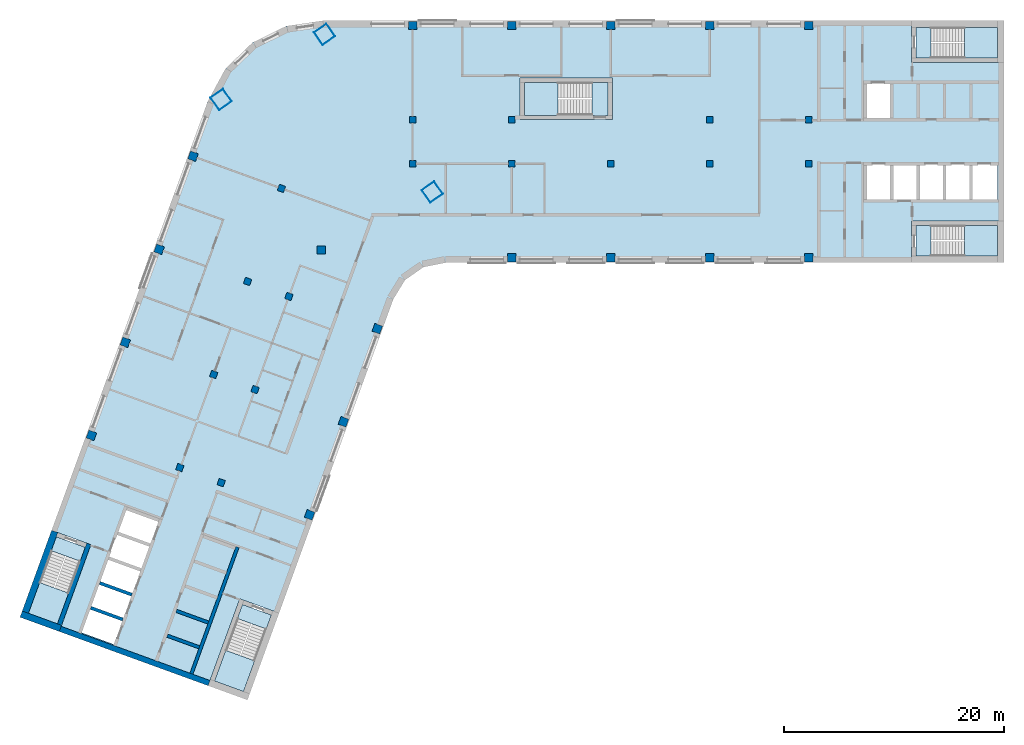
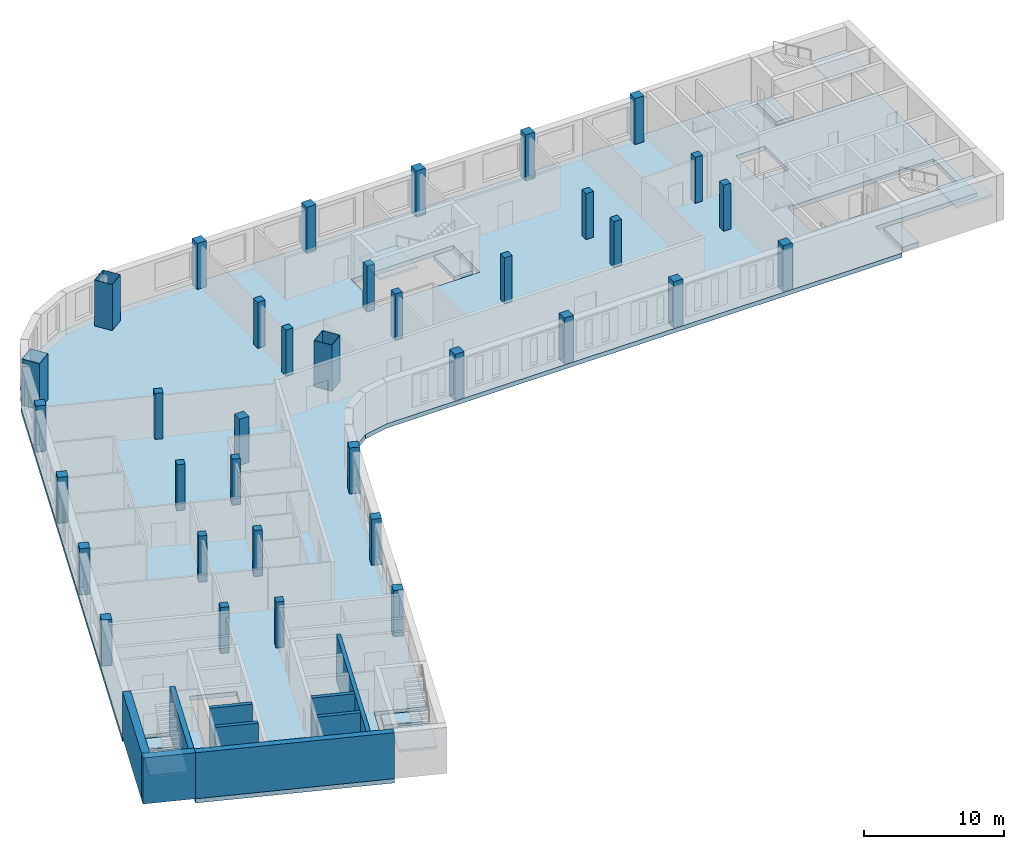
# One storey, part 1 of 8: 36 columns, 11 slabs, 9 walls, 1 plate, 5 elements without a shape of their own.
"""IFC4 building model written with IfcOpenShell, lengths in metres."""

from ifc_helpers import new_model, si_unit, direction, frame, frame_2d, origin, origin_2d, place, context, subcontext, project, spatial, polyline, rectangle, hollow_rectangle, outline, extrude, material, layer, layer_set, material_profile, profile_set, type_object, element, aggregate, save


model = new_model("IFC4")

# Units and contexts
model_context = context("Model", 3, precision=1e-05, world=origin(), true_north=direction((0.0, 1.0)))
body_context = subcontext(model_context, "Body", "Model", "MODEL_VIEW")
ifc_project = project(units=[si_unit("LENGTHUNIT", "METRE"), si_unit("AREAUNIT", "SQUARE_METRE"), si_unit("VOLUMEUNIT", "CUBIC_METRE"), si_unit("PLANEANGLEUNIT", "RADIAN"), si_unit("MASSUNIT", "GRAM", prefix="KILO")], contexts=[model_context])

# Site, building, storey
site_placement = place(None, origin())
site = spatial("IfcSite", under=ifc_project, at=site_placement, CompositionType="ELEMENT")
building_placement = place(site_placement, origin())
building = spatial("IfcBuilding", under=site, at=building_placement, Name="Skarvind Civic Tower", CompositionType="ELEMENT")
storey_placement = place(building_placement, frame((0.0, 0.0, 232.0)))
storey = spatial("IfcBuildingStorey", under=building, at=storey_placement, Name="L55", CompositionType="ELEMENT", Elevation=232.0)

# Columns
ifc_material_1 = material(Name="Concrete C60", Category="concrete")
ifc_material_profile_1 = material_profile(ifc_material_1, rectangle(XDim=0.60009765625, YDim=0.60009765625, at=origin_2d()), Name="RC-600x600")
ifc_profile_set_1 = profile_set([ifc_material_profile_1], Name="Concrete C60")
column_type_1 = type_object("IfcColumnType", Name="Column RC-600x600 C60", PredefinedType="COLUMN", material=ifc_profile_set_1)
for number, where, z_axis, x_axis, name in (
    (1, (54.25, 130.0, 0.0), (0.0, 0.0, 1.0), (1.0, 0.0, 0.0), "Column wing 1 north inner 02 L55"),
    (2, (63.25, 130.0, 0.0), (0.0, 0.0, 1.0), (1.0, 0.0, 0.0), "Column wing 1 north inner 03 L55"),
    (3, (81.25, 130.0, 0.0), (0.0, 0.0, 1.0), (1.0, 0.0, 0.0), "Column wing 1 north inner 05 L55"),
    (4, (90.25, 130.0, 0.0), (0.0, 0.0, 1.0), (1.0, 0.0, 0.0), "Column wing 1 north inner 06 L55"),
    (5, (54.25, 126.0, 0.0), (0.0, 0.0, 1.0), (1.0, 0.0, 0.0), "Column wing 1 south inner 02 L55"),
    (6, (63.25, 126.0, 0.0), (0.0, 0.0, 1.0), (1.0, 0.0, 0.0), "Column wing 1 south inner 03 L55"),
    (7, (72.25, 126.0, 0.0), (0.0, 0.0, 1.0), (1.0, 0.0, 0.0), "Column wing 1 south inner 04 L55"),
    (8, (81.25, 126.0, 0.0), (0.0, 0.0, 1.0), (1.0, 0.0, 0.0), "Column wing 1 south inner 05 L55"),
    (9, (90.25, 126.0, 0.0), (0.0, 0.0, 1.0), (1.0, 0.0, 0.0), "Column wing 1 south inner 06 L55"),
    (10, (43.005615234375, 113.92529296875, 0.0), (0.0, 0.0, 1.0), (-0.342020143326, -0.939692620786, 0.0), "Column wing 2 left inner 02 L55"),
    (11, (39.927490234375, 105.468017578125, 0.0), (0.0, 0.0, 1.0), (-0.342020143326, -0.939692620786, 0.0), "Column wing 2 left inner 03 L55"),
    (12, (36.84912109375, 97.010986328125, 0.0), (0.0, 0.0, 1.0), (-0.342020143326, -0.939692620786, 0.0), "Column wing 2 left inner 04 L55"),
    (13, (42.324951171875, 123.750732421875, 0.0), (0.0, 0.0, 1.0), (-0.342020143326, -0.939692620786, 0.0), "Column wing 2 right inner 01 L55"),
    (14, (39.246826171875, 115.29345703125, 0.0), (0.0, 0.0, 1.0), (-0.342020143326, -0.939692620786, 0.0), "Column wing 2 right inner 02 L55"),
    (15, (36.168701171875, 106.836181640625, 0.0), (0.0, 0.0, 1.0), (-0.342020143326, -0.939692620786, 0.0), "Column wing 2 right inner 03 L55"),
    (16, (33.090576171875, 98.37890625, 0.0), (0.0, 0.0, 1.0), (-0.342020143326, -0.939692620786, 0.0), "Column wing 2 right inner 04 L55"),
):
    element("IfcColumn", number, at=place(storey_placement, frame(where, z_axis=z_axis, x_axis=x_axis)), inside=storey, type_object=column_type_1, Name=name, PredefinedType="COLUMN", context=body_context, shape_type="SweptSolid", body=[
        extrude(rectangle(XDim=0.60009765625, YDim=0.60009765625, at=origin_2d()), origin(), (0.0, 0.0, 1.0), 4.0),
    ])
ifc_material_profile_2 = material_profile(ifc_material_1, rectangle(XDim=0.75, YDim=0.75, at=origin_2d()), Name="RC-750x750")
ifc_profile_set_2 = profile_set([ifc_material_profile_2], Name="Concrete C60")
column_type_2 = type_object("IfcColumnType", Name="Column RC-750x750 C60", PredefinedType="COLUMN", material=ifc_profile_set_2)
for number, where, z_axis, x_axis, name in (
    (17, (54.25, 138.550048828125, 0.0), (0.0, 0.0, 1.0), (1.0, 0.0, 0.0), "Column wing 1 north perimeter 02 L55"),
    (18, (63.25, 138.550048828125, 0.0), (0.0, 0.0, 1.0), (1.0, 0.0, 0.0), "Column wing 1 north perimeter 03 L55"),
    (19, (72.25, 138.550048828125, 0.0), (0.0, 0.0, 1.0), (1.0, 0.0, 0.0), "Column wing 1 north perimeter 04 L55"),
    (20, (81.25, 138.550048828125, 0.0), (0.0, 0.0, 1.0), (1.0, 0.0, 0.0), "Column wing 1 north perimeter 05 L55"),
    (21, (90.25, 138.550048828125, 0.0), (0.0, 0.0, 1.0), (1.0, 0.0, 0.0), "Column wing 1 north perimeter 06 L55"),
    (22, (45.95166015625, 118.151611328125, 0.0), (0.0, 0.0, 1.0), (1.0, 0.0, 0.0), "Column wing 1 south perimeter 01 L55"),
    (23, (63.25, 117.449951171875, 0.0), (0.0, 0.0, 1.0), (1.0, 0.0, 0.0), "Column wing 1 south perimeter 03 L55"),
    (24, (72.25, 117.449951171875, 0.0), (0.0, 0.0, 1.0), (1.0, 0.0, 0.0), "Column wing 1 south perimeter 04 L55"),
    (25, (81.25, 117.449951171875, 0.0), (0.0, 0.0, 1.0), (1.0, 0.0, 0.0), "Column wing 1 south perimeter 05 L55"),
    (26, (90.25, 117.449951171875, 0.0), (0.0, 0.0, 1.0), (1.0, 0.0, 0.0), "Column wing 1 south perimeter 06 L55"),
    (27, (51.0400390625, 111.0009765625, 0.0), (0.0, 0.0, 1.0), (-0.342020143326, -0.939692620786, 0.0), "Column wing 2 left perimeter 02 L55"),
    (28, (47.961669921875, 102.5439453125, 0.0), (0.0, 0.0, 1.0), (-0.342020143326, -0.939692620786, 0.0), "Column wing 2 left perimeter 03 L55"),
    (29, (44.883544921875, 94.086669921875, 0.0), (0.0, 0.0, 1.0), (-0.342020143326, -0.939692620786, 0.0), "Column wing 2 left perimeter 04 L55"),
    (30, (34.29052734375, 126.6748046875, 0.0), (0.0, 0.0, 1.0), (-0.342020143326, -0.939692620786, 0.0), "Column wing 2 right perimeter 01 L55"),
    (31, (31.21240234375, 118.2177734375, 0.0), (0.0, 0.0, 1.0), (-0.342020143326, -0.939692620786, 0.0), "Column wing 2 right perimeter 02 L55"),
    (32, (28.13427734375, 109.760498046875, 0.0), (0.0, 0.0, 1.0), (-0.342020143326, -0.939692620786, 0.0), "Column wing 2 right perimeter 03 L55"),
    (33, (25.05615234375, 101.30322265625, 0.0), (0.0, 0.0, 1.0), (-0.342020143326, -0.939692620786, 0.0), "Column wing 2 right perimeter 04 L55"),
):
    element("IfcColumn", number, at=place(storey_placement, frame(where, z_axis=z_axis, x_axis=x_axis)), inside=storey, type_object=column_type_2, Name=name, PredefinedType="COLUMN", context=body_context, shape_type="SweptSolid", body=[
        extrude(rectangle(XDim=0.75, YDim=0.75, at=origin_2d()), origin(), (0.0, 0.0, 1.0), 4.0),
    ])
ifc_material_2 = material(Name="Composite concrete-filled steel tube, Steel SM355 with Concrete C60", Category="concrete")
ifc_material_profile_3 = material_profile(ifc_material_2, hollow_rectangle(XDim=1.39990234375, YDim=1.39990234375, WallThickness=0.031982421875, at=origin_2d()), Name="BOX-1400x1400x32")
ifc_profile_set_3 = profile_set([ifc_material_profile_3], Name="Composite concrete-filled steel tube, Steel SM355 with Concrete C60")
column_type_3 = type_object("IfcColumnType", Name="Mega column BOX-1400x1400x32 filled C60", PredefinedType="COLUMN", material=ifc_profile_set_3)
for number, where, z_axis, x_axis, name in (
    (34, (36.845947265625, 131.837646484375, 0.0), (0.0, 0.0, 1.0), (0.573576436351, -0.819152044289, 0.0), "Mega column 1 L55"),
    (35, (46.2470703125, 137.762451171875, 0.0), (0.0, 0.0, 1.0), (0.573576436351, -0.819152044289, 0.0), "Mega column 2 L55"),
    (36, (56.0361328125, 123.43017578125, 0.0), (0.0, 0.0, 1.0), (0.573576436351, -0.819152044289, 0.0), "Mega column 4 L55"),
):
    element("IfcColumn", number, at=place(storey_placement, frame(where, z_axis=z_axis, x_axis=x_axis)), inside=storey, type_object=column_type_3, Name=name, PredefinedType="COLUMN", context=body_context, shape_type="SweptSolid", body=[
        extrude(hollow_rectangle(XDim=1.39990234375, YDim=1.39990234375, WallThickness=0.031982421875, at=origin_2d()), origin(), (0.0, 0.0, 1.0), 4.0),
    ])

# Slab
ifc_material_3 = material(Name="Concrete C50", Category="concrete")
ifc_layer_1 = layer(ifc_material_3, 0.375)
ifc_layer_set_1 = layer_set([ifc_layer_1], Name="Floor slab 375 C50")
slab_type_1 = type_object("IfcSlabType", Name="Floor slab 375 C50", PredefinedType="FLOOR", material=ifc_layer_set_1)
slab_1_placement = place(storey_placement, frame((0.0, 0.0, -0.375)))
element("IfcSlab", 37, at=slab_1_placement, inside=storey, type_object=slab_type_1, Name="Floor slab L55 1", PredefinedType="FLOOR", context=body_context, shape_type="SweptSolid", body=[
    extrude(outline(polyline([(99.60009765625, 117.0), (99.60009765625, 120.800048828125), (108.0, 120.800048828125), (108.0, 135.199951171875), (99.60009765625, 135.199951171875), (99.60009765625, 139.0), (46.095458984375, 139.0), (42.739501953125, 138.5009765625), (39.6943359375, 137.005615234375), (37.24755859375, 134.6552734375), (35.630615234375, 131.672607421875), (19.41748046875, 87.126708984375), (21.435302734375, 92.6708984375), (25.006103515625, 91.371337890625), (22.13330078125, 83.477783203125), (36.886474609375, 78.108154296875), (35.664794921875, 78.552734375), (38.53759765625, 86.4462890625), (42.108642578125, 85.146484375), (40.0908203125, 79.602294921875), (40.0908203125, 79.602294921875), (52.493896484375, 113.68017578125), (53.560791015625, 115.421630859375), (55.23388671875, 116.593017578125), (57.235107421875, 117.0), (99.60009765625, 117.0)]), holes=[polyline([(25.671630859375, 87.9365234375), (26.492431640625, 90.19189453125), (27.313232421875, 92.447021484375), (28.134033203125, 94.702392578125), (31.3291015625, 93.53955078125), (30.50830078125, 91.2841796875), (29.6875, 89.029052734375), (28.866455078125, 86.773681640625), (28.866455078125, 86.773681640625), (28.045654296875, 84.5185546875), (27.224853515625, 82.26318359375), (24.02978515625, 83.426025390625), (24.8505859375, 85.681396484375), (25.671630859375, 87.9365234375), (25.671630859375, 87.9365234375)]), polyline([(64.0, 130.0), (64.0, 133.800048828125), (72.39990234375, 133.800048828125), (72.39990234375, 130.0), (64.0, 130.0)]), polyline([(97.800048828125, 126.0), (100.199951171875, 126.0), (102.60009765625, 126.0), (105.0, 126.0), (107.39990234375, 126.0), (107.39990234375, 122.60009765625), (105.0, 122.60009765625), (102.60009765625, 122.60009765625), (100.199951171875, 122.60009765625), (97.800048828125, 122.60009765625), (95.39990234375, 122.60009765625), (95.39990234375, 126.0), (97.800048828125, 126.0)]), polyline([(97.800048828125, 133.39990234375), (97.800048828125, 130.0), (95.39990234375, 130.0), (95.39990234375, 133.39990234375), (97.800048828125, 133.39990234375)])]), origin(), (0.0, 0.0, 1.0), 0.375),
])

# Plate
ifc_material_4 = material(Name="Steel SM355", Category="steel")
ifc_layer_2 = layer(ifc_material_4, 0.0400390625)
ifc_layer_set_2 = layer_set([ifc_layer_2], Name="Mega column cap plate 40")
plate_type = type_object("IfcPlateType", Name="Mega column cap plate 40", PredefinedType="USERDEFINED", material=ifc_layer_set_2)
plate_placement = place(storey_placement, frame((36.845947265625, 131.837646484375, 4.0), z_axis=(0.0, 0.0, 1.0), x_axis=(0.573576436351, -0.819152044289, 0.0)))
element("IfcPlate", 38, at=plate_placement, inside=storey, type_object=plate_type, Name="Mega column cap plate 1 L55", ObjectType="CAP PLATE", PredefinedType="USERDEFINED", context=body_context, shape_type="SweptSolid", body=[
    extrude(rectangle(XDim=1.39990234375, YDim=1.39990234375, at=origin_2d()), origin(), (0.0, 0.0, 1.0), 0.0400390625),
])

# Slabs
ifc_material_5 = material(Name="Concrete C40/50", Category="concrete")
ifc_layer_3 = layer(ifc_material_5, 0.375)
ifc_layer_set_3 = layer_set([ifc_layer_3], Name="Stair floor landing slab 375")
slab_type_2 = type_object("IfcSlabType", Name="Stair floor landing slab 375", PredefinedType="LANDING", material=ifc_layer_set_3)
slab_2_placement = place(storey_placement, frame((0.0, 0.0, -0.375)))
element("IfcSlab", 39, at=slab_2_placement, inside=storey, type_object=slab_type_2, Name="Stair floor landing", PredefinedType="LANDING", context=body_context, shape_type="SweptSolid", body=[
    extrude(outline(polyline([(101.3505859375, 138.400634765625), (101.3505859375, 135.599365234375), (99.99951171875, 135.599365234375), (99.99951171875, 138.400634765625), (101.3505859375, 138.400634765625)])), origin(), (0.0, 0.0, 1.0), 0.375),
])
slab_3_placement = place(storey_placement, frame((0.0, 0.0, -0.375)))
element("IfcSlab", 40, at=slab_3_placement, inside=storey, type_object=slab_type_2, Name="Stair floor landing", PredefinedType="LANDING", context=body_context, shape_type="SweptSolid", body=[
    extrude(outline(polyline([(101.3505859375, 120.400634765625), (101.3505859375, 117.599365234375), (99.99951171875, 117.599365234375), (99.99951171875, 120.400634765625), (101.3505859375, 120.400634765625)])), origin(), (0.0, 0.0, 1.0), 0.375),
])
slab_4_placement = place(storey_placement, frame((0.0, 0.0, -0.375)))
element("IfcSlab", 41, at=slab_4_placement, inside=storey, type_object=slab_type_2, Name="Stair floor landing", PredefinedType="LANDING", context=body_context, shape_type="SweptSolid", body=[
    extrude(outline(polyline([(40.946533203125, 83.70654296875), (38.314208984375, 84.66455078125), (38.7763671875, 85.934326171875), (41.40869140625, 84.976318359375), (40.946533203125, 83.70654296875)])), origin(), (0.0, 0.0, 1.0), 0.375),
])
slab_5_placement = place(storey_placement, frame((0.0, 0.0, -0.375)))
element("IfcSlab", 42, at=slab_5_placement, inside=storey, type_object=slab_type_2, Name="Stair floor landing", PredefinedType="LANDING", context=body_context, shape_type="SweptSolid", body=[
    extrude(outline(polyline([(24.0322265625, 89.863037109375), (21.39990234375, 90.821044921875), (21.862060546875, 92.090576171875), (24.494384765625, 91.132568359375), (24.0322265625, 89.863037109375)])), origin(), (0.0, 0.0, 1.0), 0.375),
])
slab_6_placement = place(storey_placement, frame((0.0, 0.0, -0.375)))
element("IfcSlab", 43, at=slab_6_placement, inside=storey, type_object=slab_type_2, Name="Stair floor landing", PredefinedType="LANDING", context=body_context, shape_type="SweptSolid", body=[
    extrude(outline(polyline([(70.54931640625, 130.3994140625), (70.54931640625, 133.400634765625), (72.00048828125, 133.400634765625), (72.00048828125, 130.3994140625), (70.54931640625, 130.3994140625)])), origin(), (0.0, 0.0, 1.0), 0.375),
])

# Stair, slab
stair_type_1 = type_object("IfcStairType", Name="Exit stair, half-turn, concrete", PredefinedType="HALF_TURN_STAIR", material=ifc_material_5)
stair_1_placement = place(storey_placement, origin())
stair_1 = element("IfcStair", 44, at=stair_1_placement, inside=storey, type_object=stair_type_1, Name="Exit stair C1S", PredefinedType="HALF_TURN_STAIR")
ifc_layer_4 = layer(ifc_material_5, 0.199951171875)
ifc_layer_set_4 = layer_set([ifc_layer_4], Name="Stair half landing slab")
slab_type_3 = type_object("IfcSlabType", Name="Stair half landing slab", PredefinedType="LANDING", material=ifc_layer_set_4)
slab_7_placement = place(storey_placement, frame((0.0, 0.0, 1.800048828125)))
slab_7 = element("IfcSlab", 45, at=slab_7_placement, type_object=slab_type_3, Name="ST-C1S landing 1", PredefinedType="LANDING", context=body_context, shape_type="SweptSolid", body=[
    extrude(outline(polyline([(104.429443359375, 135.599365234375), (104.429443359375, 138.400634765625), (107.400634765625, 138.400634765625), (107.400634765625, 135.599365234375), (104.429443359375, 135.599365234375)])), origin(), (0.0, 0.0, 1.0), 0.199951171875),
])
aggregate(stair_1, [slab_7])

stair_2_placement = place(storey_placement, origin())
stair_2 = element("IfcStair", 46, at=stair_2_placement, inside=storey, type_object=stair_type_1, Name="Exit stair C1N", PredefinedType="HALF_TURN_STAIR")
slab_8_placement = place(storey_placement, frame((0.0, 0.0, 1.800048828125)))
slab_8 = element("IfcSlab", 47, at=slab_8_placement, type_object=slab_type_3, Name="ST-C1N landing 1", PredefinedType="LANDING", context=body_context, shape_type="SweptSolid", body=[
    extrude(outline(polyline([(104.429443359375, 117.599365234375), (104.429443359375, 120.400634765625), (107.400634765625, 120.400634765625), (107.400634765625, 117.599365234375), (104.429443359375, 117.599365234375)])), origin(), (0.0, 0.0, 1.0), 0.199951171875),
])
aggregate(stair_2, [slab_8])

stair_3_placement = place(storey_placement, origin())
stair_3 = element("IfcStair", 48, at=stair_3_placement, inside=storey, type_object=stair_type_1, Name="Exit stair C2S", PredefinedType="HALF_TURN_STAIR")
slab_9_placement = place(storey_placement, frame((0.0, 0.0, 1.800048828125)))
slab_9 = element("IfcSlab", 49, at=slab_9_placement, type_object=slab_type_3, Name="ST-C2S landing 1", PredefinedType="LANDING", context=body_context, shape_type="SweptSolid", body=[
    extrude(outline(polyline([(37.26123046875, 81.771484375), (39.8935546875, 80.8134765625), (38.87744140625, 78.021484375), (36.2451171875, 78.9794921875), (37.26123046875, 81.771484375)])), origin(), (0.0, 0.0, 1.0), 0.199951171875),
])
aggregate(stair_3, [slab_9])

stair_4_placement = place(storey_placement, origin())
stair_4 = element("IfcStair", 50, at=stair_4_placement, inside=storey, type_object=stair_type_1, Name="Exit stair C2N", PredefinedType="HALF_TURN_STAIR")
slab_10_placement = place(storey_placement, frame((0.0, 0.0, 1.800048828125)))
slab_10 = element("IfcSlab", 51, at=slab_10_placement, type_object=slab_type_3, Name="ST-C2N landing 1", PredefinedType="LANDING", context=body_context, shape_type="SweptSolid", body=[
    extrude(outline(polyline([(20.346923828125, 87.927734375), (22.97900390625, 86.9697265625), (21.962890625, 84.177734375), (19.33056640625, 85.1357421875), (20.346923828125, 87.927734375)])), origin(), (0.0, 0.0, 1.0), 0.199951171875),
])
aggregate(stair_4, [slab_10])

stair_type_2 = type_object("IfcStairType", Name="Exit stair 1450, half-turn, concrete", PredefinedType="HALF_TURN_STAIR", material=ifc_material_5)
stair_5_placement = place(storey_placement, origin())
stair_5 = element("IfcStair", 52, at=stair_5_placement, inside=storey, type_object=stair_type_2, Name="Exit stair CM", PredefinedType="HALF_TURN_STAIR")
slab_11_placement = place(storey_placement, frame((0.0, 0.0, 1.800048828125)))
slab_11 = element("IfcSlab", 53, at=slab_11_placement, type_object=slab_type_3, Name="ST-CM landing 1", PredefinedType="LANDING", context=body_context, shape_type="SweptSolid", body=[
    extrude(outline(polyline([(67.470703125, 133.400634765625), (67.470703125, 130.3994140625), (64.3994140625, 130.3994140625), (64.3994140625, 133.400634765625), (67.470703125, 133.400634765625)])), origin(), (0.0, 0.0, 1.0), 0.199951171875),
])
aggregate(stair_5, [slab_11])

# Walls
ifc_layer_5 = layer(ifc_material_1, 0.300048828125)
ifc_layer_set_5 = layer_set([ifc_layer_5], Name="Core wall 300 C60")
wall_type_1 = type_object("IfcWallType", Name="Core wall 300 C60", PredefinedType="SHEAR", material=ifc_layer_set_5)
wall_1_placement = place(storey_placement, frame((34.144287109375, 79.638427734375, 0.0), z_axis=(0.0, 0.0, 1.0), x_axis=(0.342016684409, 0.939693879721, 0.0)))
element("IfcWall", 54, at=wall_1_placement, inside=storey, type_object=wall_type_1, Name="Core wall C2 south lift row back L55", PredefinedType="SHEAR", context=body_context, shape_type="SweptSolid", body=[
    extrude(rectangle(XDim=12.25, YDim=0.300048828125, at=frame_2d((6.125, 0.0))), origin(), (0.0, 0.0, 1.0), 4.0),
])
wall_2_placement = place(storey_placement, frame((34.8583984375, 82.038818359375, 0.0), z_axis=(0.0, 0.0, 1.0), x_axis=(-0.939689908313, 0.342027595692, 0.0)))
element("IfcWall", 55, at=wall_2_placement, inside=storey, type_object=wall_type_1, Name="Core wall C2 south lift row division 1 L55", PredefinedType="SHEAR", context=body_context, shape_type="SweptSolid", body=[
    extrude(rectangle(XDim=3.10009765625, YDim=0.300048828125, at=frame_2d((1.550048828125, 0.0))), origin(), (0.0, 0.0, 1.0), 4.0),
])
wall_3_placement = place(storey_placement, frame((35.67919921875, 84.294189453125, 0.0), z_axis=(0.0, 0.0, 1.0), x_axis=(-0.939706007505, 0.341983361377, 0.0)))
element("IfcWall", 56, at=wall_3_placement, inside=storey, type_object=wall_type_1, Name="Core wall C2 south lift row division 2 L55", PredefinedType="SHEAR", context=body_context, shape_type="SweptSolid", body=[
    extrude(rectangle(XDim=3.099853515625, YDim=0.300048828125, at=frame_2d((1.5498046875, 0.0))), origin(), (0.0, 0.0, 1.0), 4.0),
])
for number, where, z_axis, x_axis, name in (
    (57, (27.90478515625, 84.56982421875, 0.0), (0.0, 0.0, 1.0), (-0.939689908313, 0.342027595692, 0.0), "Core wall C2 north lift row division 1 L55"),
    (58, (28.7255859375, 86.824951171875, 0.0), (0.0, 0.0, 1.0), (-0.939689908313, 0.342027595692, 0.0), "Core wall C2 north lift row division 2 L55"),
):
    element("IfcWall", number, at=place(storey_placement, frame(where, z_axis=z_axis, x_axis=x_axis)), inside=storey, type_object=wall_type_1, Name=name, PredefinedType="SHEAR", context=body_context, shape_type="SweptSolid", body=[
        extrude(rectangle(XDim=3.10009765625, YDim=0.300048828125, at=frame_2d((1.550048828125, 0.0))), origin(), (0.0, 0.0, 1.0), 4.0),
    ])
ifc_layer_6 = layer(ifc_material_1, 0.39990234375)
ifc_layer_set_6 = layer_set([ifc_layer_6], Name="Core wall 400 C60")
wall_type_2 = type_object("IfcWallType", Name="Core wall 400 C60", PredefinedType="SHEAR", material=ifc_layer_set_6)
wall_4_placement = place(storey_placement, frame((22.150390625, 84.110107421875, 0.0), z_axis=(0.0, 0.0, 1.0), x_axis=(0.342016982193, 0.939693771338, 0.0)))
element("IfcWall", 59, at=wall_4_placement, inside=storey, type_object=wall_type_2, Name="Core wall C2 north stair inner L55", PredefinedType="SHEAR", context=body_context, shape_type="SweptSolid", body=[
    extrude(rectangle(XDim=7.800048828125, YDim=0.39990234375, at=frame_2d((3.89990234375, 0.0))), origin(), (0.0, 0.0, 1.0), 4.0),
])
ifc_layer_7 = layer(ifc_material_1, 0.5)
ifc_layer_set_7 = layer_set([ifc_layer_7], Name="Core wall 500 C60")
wall_type_3 = type_object("IfcWallType", Name="Core wall 500 C60", PredefinedType="SHEAR", material=ifc_layer_set_7)
wall_5_placement = place(storey_placement, frame((35.750244140625, 78.787841796875, 0.0), z_axis=(0.0, 0.0, 1.0), x_axis=(-0.939692894512, 0.342019391267, 0.0)))
element("IfcWall", 60, at=wall_5_placement, inside=storey, type_object=wall_type_3, Name="Core wall C2 tip between the stairs L55", PredefinedType="SHEAR", context=body_context, shape_type="SweptSolid", body=[
    extrude(rectangle(XDim=14.39990234375, YDim=0.5, at=frame_2d((7.199951171875, 0.0))), origin(), (0.0, 0.0, 1.0), 4.0),
])
ifc_layer_8 = layer(ifc_material_1, 0.60009765625)
ifc_layer_set_8 = layer_set([ifc_layer_8], Name="Core wall 600 C60")
wall_type_4 = type_object("IfcWallType", Name="Core wall 600 C60", PredefinedType="SHEAR", material=ifc_layer_set_8)
wall_6_placement = place(storey_placement, frame((22.23583984375, 83.759765625, 0.0), z_axis=(0.0, 0.0, 1.0), x_axis=(-0.939680822529, 0.342052557032, 0.0)))
element("IfcWall", 61, at=wall_6_placement, inside=storey, type_object=wall_type_4, Name="Core wall C2 tip at the north stair L55", PredefinedType="SHEAR", context=body_context, shape_type="SweptSolid", body=[
    extrude(rectangle(XDim=3.800048828125, YDim=0.60009765625, at=frame_2d((1.89990234375, 0.0))), origin(), (0.0, 0.0, 1.0), 4.0),
])
wall_7_placement = place(storey_placement, frame((19.049560546875, 85.23876953125, 0.0), z_axis=(0.0, 0.0, 1.0), x_axis=(0.342016982193, 0.939693771338, 0.0)))
element("IfcWall", 62, at=wall_7_placement, inside=storey, type_object=wall_type_4, Name="Core wall C2 north side at the stair L55", PredefinedType="SHEAR", context=body_context, shape_type="SweptSolid", body=[
    extrude(rectangle(XDim=7.800048828125, YDim=0.60009765625, at=frame_2d((3.89990234375, 0.0))), origin(), (0.0, 0.0, 1.0), 4.0),
])

save(model, "model.ifc")
